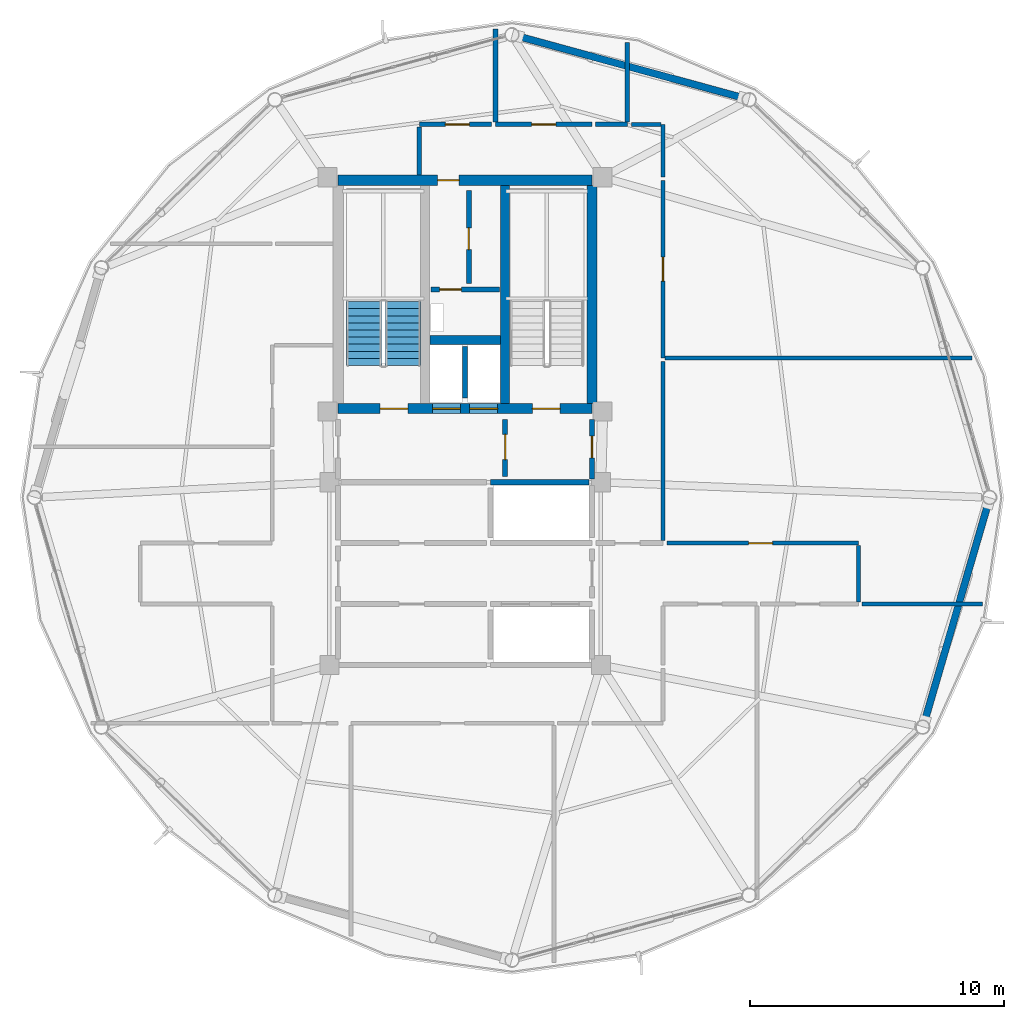
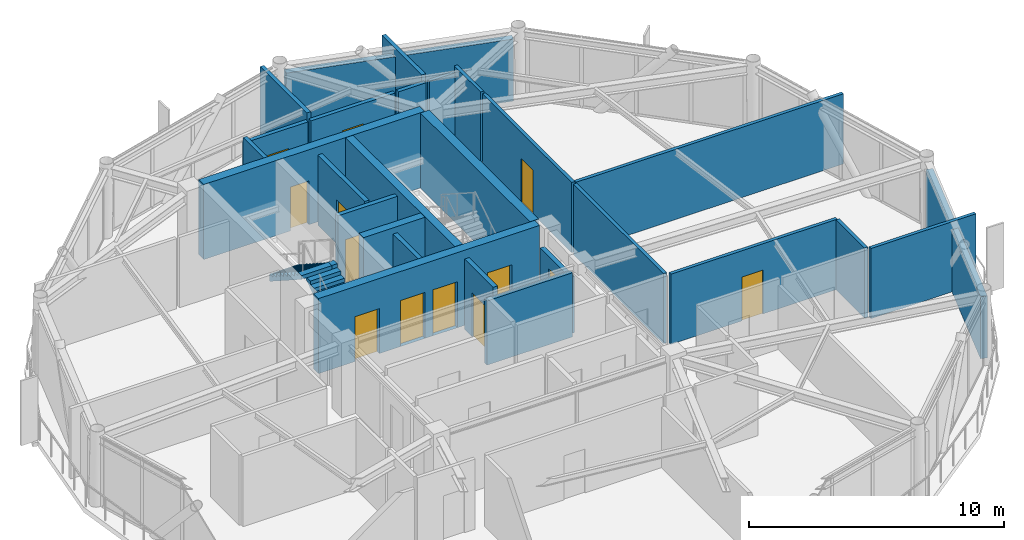
# One storey, part 23 of 27: 27 walls, 13 doors, 2 stair flights, 13 openings, 1 element without a shape of its own.
"""IFC4 building model written with IfcOpenShell, lengths in metres."""

from ifc_helpers import new_model, si_unit, direction, frame, frame_2d, origin, place, context, subcontext, project, spatial, polyline, rectangle, outline, extrude, material, layer, layer_set, type_object, element, fill, aggregate, save


model = new_model("IFC4")

# Units and contexts
model_context = context("Model", 3, precision=1e-05, world=origin(), true_north=direction((0.0, 1.0)))
body_context = subcontext(model_context, "Body", "Model", "MODEL_VIEW")
ifc_project = project(units=[si_unit("LENGTHUNIT", "METRE"), si_unit("AREAUNIT", "SQUARE_METRE"), si_unit("VOLUMEUNIT", "CUBIC_METRE"), si_unit("PLANEANGLEUNIT", "RADIAN"), si_unit("MASSUNIT", "GRAM", prefix="KILO")], contexts=[model_context])

# Site, building, storey
site_placement = place(None, origin())
site = spatial("IfcSite", under=ifc_project, at=site_placement, CompositionType="ELEMENT")
building_placement = place(site_placement, origin())
building = spatial("IfcBuilding", under=site, at=building_placement, Name="Varnakorn Sky Granary", CompositionType="ELEMENT")
storey_placement = place(building_placement, frame((0.0, 0.0, 229.199951171875)))
storey = spatial("IfcBuildingStorey", under=building, at=storey_placement, Name="L58", CompositionType="ELEMENT", Elevation=229.199951171875)

# Walls
ifc_material_1 = material(Name="Concrete C50/60", Category="concrete")
ifc_layer_1 = layer(ifc_material_1, 0.35009765625, Name="Concrete C50/60")
ifc_layer_set_1 = layer_set([ifc_layer_1], Name="Concrete C50/60")
wall_type_1 = type_object("IfcWallType", Name="WT-CW-INT-350", PredefinedType="SHEAR", material=ifc_layer_set_1)
wall_1_placement = place(storey_placement, frame((4.580078125, 3.7099609375, 0.0), z_axis=(0.0, 0.0, 1.0), x_axis=(0.0, 1.0, 0.0)))
element("IfcWall", 1, at=wall_1_placement, inside=storey, type_object=wall_type_1, Name="Stair ST-2 Core Wall L58", PredefinedType="SHEAR", context=body_context, shape_type="SweptSolid", body=[
    extrude(rectangle(XDim=8.580078125, YDim=0.35009765625, at=frame_2d((4.2900390625, 0.0))), origin(), (0.0, 0.0, 1.0), 3.592041015625),
])
wall_2_placement = place(storey_placement, frame((1.610107421875, 6.199951171875, 0.0), z_axis=(0.0, 0.0, 1.0), x_axis=(1.0, 0.0, 0.0)))
element("IfcWall", 2, at=wall_2_placement, inside=storey, type_object=wall_type_1, Name="Core Lift Shaft Cross Wall L58", PredefinedType="SHEAR", context=body_context, shape_type="SweptSolid", body=[
    extrude(rectangle(XDim=2.77978515625, YDim=0.35009765625, at=frame_2d((1.389892578125, 0.0))), origin(), (0.0, 0.0, 1.0), 3.592041015625),
])

# Wall, openings, doors
ifc_layer_2 = layer(ifc_material_1, 0.39990234375, Name="Concrete C50/60")
ifc_layer_set_2 = layer_set([ifc_layer_2], Name="Concrete C50/60")
wall_type_2 = type_object("IfcWallType", Name="WT-CW-SHEAR-400", PredefinedType="SHEAR", material=ifc_layer_set_2)
wall_3_placement = place(storey_placement, frame((-2.0, 3.5, 0.0), z_axis=(0.0, 0.0, 1.0), x_axis=(1.0, 0.0, 0.0)))
wall_3 = element("IfcWall", 3, at=wall_3_placement, inside=storey, type_object=wall_type_2, Name="Core South Shear Wall L58", PredefinedType="SHEAR", context=body_context, shape_type="SweptSolid", body=[
    extrude(rectangle(XDim=10.0, YDim=0.39990234375, at=frame_2d((5.0, 0.0))), origin(), (0.0, 0.0, 1.0), 3.592041015625),
])
opening_1_placement = place(wall_3_placement, frame((1.64990234375, 0.0, 0.0)))
opening_1 = element("IfcOpeningElement", 4, at=opening_1_placement, cuts=wall_3, Name="Opening FD-90", PredefinedType="OPENING", context=body_context, shape_type="SweptSolid", body=[
    extrude(rectangle(XDim=1.10009765625, YDim=2.14990234375, at=frame_2d((0.550048828125, 1.074951171875))), frame((0.0, 0.2099609375, 0.0), z_axis=(0.0, -1.0, 0.0), x_axis=(1.0, 0.0, 0.0)), (0.0, 0.0, 1.0), 0.419921875),
])
opening_2_placement = place(wall_3_placement, frame((7.64990234375, 0.0, 0.0)))
opening_2 = element("IfcOpeningElement", 5, at=opening_2_placement, cuts=wall_3, Name="Opening FD-90", PredefinedType="OPENING", context=body_context, shape_type="SweptSolid", body=[
    extrude(rectangle(XDim=1.10009765625, YDim=2.14990234375, at=frame_2d((0.550048828125, 1.074951171875))), frame((0.0, 0.2099609375, 0.0), z_axis=(0.0, -1.0, 0.0), x_axis=(1.0, 0.0, 0.0)), (0.0, 0.0, 1.0), 0.419921875),
])
opening_3_placement = place(wall_3_placement, frame((3.719970703125, 0.0, 0.0)))
opening_3 = element("IfcOpeningElement", 6, at=opening_3_placement, cuts=wall_3, Name="Opening LD-01", PredefinedType="OPENING", context=body_context, shape_type="SweptSolid", body=[
    extrude(rectangle(XDim=1.10009765625, YDim=2.199951171875, at=frame_2d((0.550048828125, 1.10009765625))), frame((0.0, 0.2099609375, 0.0), z_axis=(0.0, -1.0, 0.0), x_axis=(1.0, 0.0, 0.0)), (0.0, 0.0, 1.0), 0.419921875),
])
opening_4_placement = place(wall_3_placement, frame((5.179931640625, 0.0, 0.0)))
opening_4 = element("IfcOpeningElement", 7, at=opening_4_placement, cuts=wall_3, Name="Opening LD-01", PredefinedType="OPENING", context=body_context, shape_type="SweptSolid", body=[
    extrude(rectangle(XDim=1.10009765625, YDim=2.199951171875, at=frame_2d((0.550048828125, 1.10009765625))), frame((0.0, 0.2099609375, 0.0), z_axis=(0.0, -1.0, 0.0), x_axis=(1.0, 0.0, 0.0)), (0.0, 0.0, 1.0), 0.419921875),
])
ifc_material_2 = material(Name="Brushed Bronze Stainless Steel", Category="steel")
door_type_1 = type_object("IfcDoorType", Name="DR-LD-1100", OperationType="DOUBLE_DOOR_SLIDING", PredefinedType="DOOR", material=ifc_material_2)
door_1_placement = place(opening_3_placement, origin())
door_1 = element("IfcDoor", 8, at=door_1_placement, inside=storey, type_object=door_type_1, Name="Firefighting Lift FFL-1 Landing Door L58", OperationType="DOUBLE_DOOR_SLIDING", OverallHeight=2.199951171875, OverallWidth=1.10009765625, PredefinedType="DOOR", context=body_context, shape_type="SweptSolid", body=[
    extrude(rectangle(XDim=1.10009765625, YDim=2.199951171875, at=frame_2d((0.550048828125, 1.10009765625))), frame((0.0, 0.02490234375, 0.0), z_axis=(0.0, -1.0, 0.0), x_axis=(1.0, 0.0, 0.0)), (0.0, 0.0, 1.0), 0.050048828125),
])
fill(opening_3, door_1)
door_2_placement = place(opening_4_placement, origin())
door_2 = element("IfcDoor", 9, at=door_2_placement, inside=storey, type_object=door_type_1, Name="Firefighting Lift FFL-2 Landing Door L58", OperationType="DOUBLE_DOOR_SLIDING", OverallHeight=2.199951171875, OverallWidth=1.10009765625, PredefinedType="DOOR", context=body_context, shape_type="SweptSolid", body=[
    extrude(rectangle(XDim=1.10009765625, YDim=2.199951171875, at=frame_2d((0.550048828125, 1.10009765625))), frame((0.0, 0.02490234375, 0.0), z_axis=(0.0, -1.0, 0.0), x_axis=(1.0, 0.0, 0.0)), (0.0, 0.0, 1.0), 0.050048828125),
])
fill(opening_4, door_2)
ifc_material_3 = material(Name="Galvanised Painted Steel Leaf", Category="steel")
door_type_2 = type_object("IfcDoorType", Name="DR-STAIR-1100", OperationType="NOTDEFINED", PredefinedType="DOOR", material=ifc_material_3)
door_3_placement = place(opening_1_placement, origin())
door_3 = element("IfcDoor", 10, at=door_3_placement, inside=storey, type_object=door_type_2, Name="Stair ST-1 Protected Fire Door L58", OperationType="SINGLE_SWING_LEFT", OverallHeight=2.14990234375, OverallWidth=1.10009765625, PredefinedType="DOOR", context=body_context, shape_type="SweptSolid", body=[
    extrude(rectangle(XDim=1.10009765625, YDim=2.14990234375, at=frame_2d((0.550048828125, 1.074951171875))), frame((0.0, 0.02490234375, 0.0), z_axis=(0.0, -1.0, 0.0), x_axis=(1.0, 0.0, 0.0)), (0.0, 0.0, 1.0), 0.050048828125),
])
fill(opening_1, door_3)
door_4_placement = place(opening_2_placement, origin())
door_4 = element("IfcDoor", 11, at=door_4_placement, inside=storey, type_object=door_type_2, Name="Stair ST-2 Protected Fire Door L58", OperationType="SINGLE_SWING_RIGHT", OverallHeight=2.14990234375, OverallWidth=1.10009765625, PredefinedType="DOOR", context=body_context, shape_type="SweptSolid", body=[
    extrude(rectangle(XDim=1.10009765625, YDim=2.14990234375, at=frame_2d((0.550048828125, 1.074951171875))), frame((0.0, 0.02490234375, 0.0), z_axis=(0.0, -1.0, 0.0), x_axis=(1.0, 0.0, 0.0)), (0.0, 0.0, 1.0), 0.050048828125),
])
fill(opening_2, door_4)

# Wall, opening, door
wall_4_placement = place(storey_placement, frame((-2.0, 12.5, 0.0), z_axis=(0.0, 0.0, 1.0), x_axis=(1.0, 0.0, 0.0)))
wall_4 = element("IfcWall", 12, at=wall_4_placement, inside=storey, type_object=wall_type_2, Name="Core North Shear Wall L58", PredefinedType="SHEAR", context=body_context, shape_type="SweptSolid", body=[
    extrude(rectangle(XDim=10.0, YDim=0.39990234375, at=frame_2d((5.0, 0.0))), origin(), (0.0, 0.0, 1.0), 3.592041015625),
])
opening_5_placement = place(wall_4_placement, frame((3.919921875, 0.0, 0.0)))
opening_5 = element("IfcOpeningElement", 13, at=opening_5_placement, cuts=wall_4, Name="Opening FD-60N", PredefinedType="OPENING", context=body_context, shape_type="SweptSolid", body=[
    extrude(rectangle(XDim=0.85009765625, YDim=2.10009765625, at=frame_2d((0.425048828125, 1.050048828125))), frame((0.0, 0.2099609375, 0.0), z_axis=(0.0, -1.0, 0.0), x_axis=(1.0, 0.0, 0.0)), (0.0, 0.0, 1.0), 0.419921875),
])
ifc_material_4 = material(Name="Acoustic Timber Fire Leaf", Category="wood")
door_type_3 = type_object("IfcDoorType", Name="DR-FD60-850", OperationType="NOTDEFINED", PredefinedType="DOOR", material=ifc_material_4)
door_5_placement = place(opening_5_placement, origin())
door_5 = element("IfcDoor", 14, at=door_5_placement, inside=storey, type_object=door_type_3, Name="Core North Service Door L58", OperationType="SINGLE_SWING_RIGHT", OverallHeight=2.10009765625, OverallWidth=0.85009765625, PredefinedType="DOOR", context=body_context, shape_type="SweptSolid", body=[
    extrude(rectangle(XDim=0.85009765625, YDim=2.10009765625, at=frame_2d((0.425048828125, 1.050048828125))), frame((0.0, 0.02490234375, 0.0), z_axis=(0.0, -1.0, 0.0), x_axis=(1.0, 0.0, 0.0)), (0.0, 0.0, 1.0), 0.050048828125),
])
fill(opening_5, door_5)

# Walls
wall_5_placement = place(storey_placement, frame((8.0, 3.7099609375, 0.0), z_axis=(0.0, 0.0, 1.0), x_axis=(0.0, 1.0, 0.0)))
element("IfcWall", 15, at=wall_5_placement, inside=storey, type_object=wall_type_2, Name="Core East Shear Wall L58", PredefinedType="SHEAR", context=body_context, shape_type="SweptSolid", body=[
    extrude(rectangle(XDim=8.580078125, YDim=0.39990234375, at=frame_2d((4.2900390625, 0.0))), origin(), (0.0, 0.0, 1.0), 3.592041015625),
])
ifc_material_5 = material(Name="Precast concrete C40/50", Category="concrete")
ifc_layer_3 = layer(ifc_material_5, 0.280029296875, Name="Precast concrete C40/50")
ifc_layer_set_3 = layer_set([ifc_layer_3], Name="Precast concrete C40/50")
wall_type_3 = type_object("IfcWallType", Name="WT-EW-CRN-280", PredefinedType="SOLIDWALL", material=ifc_layer_set_3)
wall_6_placement = place(storey_placement, frame((5.076171875, 18.18017578125, 0.0), z_axis=(0.0, 0.0, 1.0), x_axis=(0.96446761762, -0.264201087361, 0.0)))
element("IfcWall", 16, at=wall_6_placement, inside=storey, type_object=wall_type_3, Name="Agritech Insulated Precast Facade Wall L58-P03", PredefinedType="SOLIDWALL", context=body_context, shape_type="SweptSolid", body=[
    extrude(rectangle(XDim=9.22509765625, YDim=0.280029296875, at=frame_2d((4.612548828125, 0.0))), origin(), (0.0, 0.0, 1.0), 2.969970703125),
])
wall_7_placement = place(storey_placement, frame((23.618408203125, -0.22509765625, 0.0), z_axis=(0.0, 0.0, 1.0), x_axis=(-0.279948739232, -0.960014949572, 0.0)))
element("IfcWall", 17, at=wall_7_placement, inside=storey, type_object=wall_type_3, Name="Agritech Insulated Precast Facade Wall L58-P12", PredefinedType="SOLIDWALL", context=body_context, shape_type="SweptSolid", body=[
    extrude(rectangle(XDim=8.961669921875, YDim=0.280029296875, at=frame_2d((4.48095703125, 0.0))), origin(), (0.0, 0.0, 1.0), 2.969970703125),
])

# Wall, opening, door
ifc_material_6 = material(Name="Autoclaved Aerated Concrete Blockwork", Category="masonry")
ifc_layer_4 = layer(ifc_material_6, 0.199951171875, Name="Autoclaved Aerated Concrete Blockwork")
ifc_layer_set_4 = layer_set([ifc_layer_4], Name="Autoclaved Aerated Concrete Blockwork")
wall_type_4 = type_object("IfcWallType", Name="WT-FIRE-200", PredefinedType="MOVABLE", material=ifc_layer_set_4)
wall_8_placement = place(storey_placement, frame((1.64990234375, 8.199951171875, 0.0), z_axis=(0.0, 0.0, 1.0), x_axis=(1.0, 0.0, 0.0)))
wall_8 = element("IfcWall", 18, at=wall_8_placement, inside=storey, type_object=wall_type_4, Name="Interior Partition Wall L58-010", PredefinedType="MOVABLE", context=body_context, shape_type="SweptSolid", body=[
    extrude(rectangle(XDim=2.7001953125, YDim=0.199951171875, at=frame_2d((1.35009765625, 0.0))), origin(), (0.0, 0.0, 1.0), 3.360107421875),
])
opening_6_placement = place(wall_8_placement, frame((0.35009765625, 0.0, 0.0)))
opening_6 = element("IfcOpeningElement", 19, at=opening_6_placement, cuts=wall_8, Name="Opening FD-60N", PredefinedType="OPENING", context=body_context, shape_type="SweptSolid", body=[
    extrude(rectangle(XDim=0.85009765625, YDim=2.10009765625, at=frame_2d((0.425048828125, 1.050048828125))), frame((0.0, 0.10986328125, 0.0), z_axis=(0.0, -1.0, 0.0), x_axis=(1.0, 0.0, 0.0)), (0.0, 0.0, 1.0), 0.219970703125),
])
door_6_placement = place(opening_6_placement, origin())
door_6 = element("IfcDoor", 20, at=door_6_placement, inside=storey, type_object=door_type_3, Name="Interior Door L58-010-1", OperationType="SINGLE_SWING_LEFT", OverallHeight=2.10009765625, OverallWidth=0.85009765625, PredefinedType="DOOR", context=body_context, shape_type="SweptSolid", body=[
    extrude(rectangle(XDim=0.85009765625, YDim=2.10009765625, at=frame_2d((0.425048828125, 1.050048828125))), frame((0.0, 0.02490234375, 0.0), z_axis=(0.0, -1.0, 0.0), x_axis=(1.0, 0.0, 0.0)), (0.0, 0.0, 1.0), 0.050048828125),
])
fill(opening_6, door_6)

wall_9_placement = place(storey_placement, frame((3.14990234375, 8.429931640625, 0.0), z_axis=(0.0, 0.0, 1.0), x_axis=(0.0, 1.0, 0.0)))
wall_9 = element("IfcWall", 21, at=wall_9_placement, inside=storey, type_object=wall_type_4, Name="Interior Partition Wall L58-011", PredefinedType="MOVABLE", context=body_context, shape_type="SweptSolid", body=[
    extrude(rectangle(XDim=3.670166015625, YDim=0.199951171875, at=frame_2d((1.8349609375, 0.0))), origin(), (0.0, 0.0, 1.0), 3.360107421875),
])
opening_7_placement = place(wall_9_placement, frame((1.340087890625, 0.0, 0.0)))
opening_7 = element("IfcOpeningElement", 22, at=opening_7_placement, cuts=wall_9, Name="Opening FD-60N", PredefinedType="OPENING", context=body_context, shape_type="SweptSolid", body=[
    extrude(rectangle(XDim=0.85009765625, YDim=2.10009765625, at=frame_2d((0.425048828125, 1.050048828125))), frame((0.0, 0.10986328125, 0.0), z_axis=(0.0, -1.0, 0.0), x_axis=(1.0, 0.0, 0.0)), (0.0, 0.0, 1.0), 0.219970703125),
])
door_7_placement = place(opening_7_placement, origin())
door_7 = element("IfcDoor", 23, at=door_7_placement, inside=storey, type_object=door_type_3, Name="Interior Door L58-011-1", OperationType="SINGLE_SWING_RIGHT", OverallHeight=2.10009765625, OverallWidth=0.85009765625, PredefinedType="DOOR", context=body_context, shape_type="SweptSolid", body=[
    extrude(rectangle(XDim=0.85009765625, YDim=2.10009765625, at=frame_2d((0.425048828125, 1.050048828125))), frame((0.0, 0.02490234375, 0.0), z_axis=(0.0, -1.0, 0.0), x_axis=(1.0, 0.0, 0.0)), (0.0, 0.0, 1.0), 0.050048828125),
])
fill(opening_7, door_7)

wall_10_placement = place(storey_placement, frame((4.580078125, 0.830078125, 0.0), z_axis=(0.0, 0.0, 1.0), x_axis=(0.0, 1.0, 0.0)))
wall_10 = element("IfcWall", 24, at=wall_10_placement, inside=storey, type_object=wall_type_4, Name="Interior Partition Wall L58-012", PredefinedType="MOVABLE", context=body_context, shape_type="SweptSolid", body=[
    extrude(rectangle(XDim=2.239990234375, YDim=0.199951171875, at=frame_2d((1.1201171875, 0.0))), origin(), (0.0, 0.0, 1.0), 3.360107421875),
])
opening_8_placement = place(wall_10_placement, frame((0.659912109375, 0.0, 0.0)))
opening_8 = element("IfcOpeningElement", 25, at=opening_8_placement, cuts=wall_10, Name="Opening FD-60", PredefinedType="OPENING", context=body_context, shape_type="SweptSolid", body=[
    extrude(rectangle(XDim=1.0, YDim=2.10009765625, at=frame_2d((0.5, 1.050048828125))), frame((0.0, 0.10986328125, 0.0), z_axis=(0.0, -1.0, 0.0), x_axis=(1.0, 0.0, 0.0)), (0.0, 0.0, 1.0), 0.219970703125),
])
door_type_4 = type_object("IfcDoorType", Name="DR-FD60-1000", OperationType="NOTDEFINED", PredefinedType="DOOR", material=ifc_material_4)
door_8_placement = place(opening_8_placement, origin())
door_8 = element("IfcDoor", 26, at=door_8_placement, inside=storey, type_object=door_type_4, Name="Interior Door L58-012-1", OperationType="SINGLE_SWING_LEFT", OverallHeight=2.10009765625, OverallWidth=1.0, PredefinedType="DOOR", context=body_context, shape_type="SweptSolid", body=[
    extrude(rectangle(XDim=1.0, YDim=2.10009765625, at=frame_2d((0.5, 1.050048828125))), frame((0.0, 0.02490234375, 0.0), z_axis=(0.0, -1.0, 0.0), x_axis=(1.0, 0.0, 0.0)), (0.0, 0.0, 1.0), 0.050048828125),
])
fill(opening_8, door_8)

wall_11_placement = place(storey_placement, frame((8.0, 0.719970703125, 0.0), z_axis=(0.0, 0.0, 1.0), x_axis=(0.0, 1.0, 0.0)))
wall_11 = element("IfcWall", 27, at=wall_11_placement, inside=storey, type_object=wall_type_4, Name="Interior Partition Wall L58-014", PredefinedType="MOVABLE", context=body_context, shape_type="SweptSolid", body=[
    extrude(rectangle(XDim=2.35009765625, YDim=0.199951171875, at=frame_2d((1.175048828125, 0.0))), origin(), (0.0, 0.0, 1.0), 2.692138671875),
])
opening_9_placement = place(wall_11_placement, frame((0.844970703125, 0.0, 0.0)))
opening_9 = element("IfcOpeningElement", 28, at=opening_9_placement, cuts=wall_11, Name="Opening FD-60N", PredefinedType="OPENING", context=body_context, shape_type="SweptSolid", body=[
    extrude(rectangle(XDim=0.85009765625, YDim=2.10009765625, at=frame_2d((0.425048828125, 1.050048828125))), frame((0.0, 0.10986328125, 0.0), z_axis=(0.0, -1.0, 0.0), x_axis=(1.0, 0.0, 0.0)), (0.0, 0.0, 1.0), 0.219970703125),
])
door_9_placement = place(opening_9_placement, origin())
door_9 = element("IfcDoor", 29, at=door_9_placement, inside=storey, type_object=door_type_3, Name="Interior Door L58-014-1", OperationType="SINGLE_SWING_LEFT", OverallHeight=2.10009765625, OverallWidth=0.85009765625, PredefinedType="DOOR", context=body_context, shape_type="SweptSolid", body=[
    extrude(rectangle(XDim=0.85009765625, YDim=2.10009765625, at=frame_2d((0.425048828125, 1.050048828125))), frame((0.0, 0.02490234375, 0.0), z_axis=(0.0, -1.0, 0.0), x_axis=(1.0, 0.0, 0.0)), (0.0, 0.0, 1.0), 0.050048828125),
])
fill(opening_9, door_9)

ifc_material_7 = material(Name="Gypsum Plasterboard on Steel Stud", Category="steel")
ifc_layer_5 = layer(ifc_material_7, 0.14990234375, Name="Gypsum Plasterboard on Steel Stud")
ifc_layer_set_5 = layer_set([ifc_layer_5], Name="Gypsum Plasterboard on Steel Stud")
wall_type_5 = type_object("IfcWallType", Name="WT-PART-150", PredefinedType="PARTITIONING", material=ifc_layer_set_5)
wall_12_placement = place(storey_placement, frame((18.5, -1.800048828125, 0.0), z_axis=(0.0, 0.0, 1.0), x_axis=(-1.0, 0.0, 0.0)))
wall_12 = element("IfcWall", 30, at=wall_12_placement, inside=storey, type_object=wall_type_5, Name="Interior Partition Wall L58-028", PredefinedType="PARTITIONING", context=body_context, shape_type="SweptSolid", body=[
    extrude(rectangle(XDim=7.5400390625, YDim=0.14990234375, at=frame_2d((3.77001953125, 0.0))), origin(), (0.0, 0.0, 1.0), 3.360107421875),
])
opening_10_placement = place(wall_12_placement, frame((3.375, 0.0, 0.0)))
opening_10 = element("IfcOpeningElement", 31, at=opening_10_placement, cuts=wall_12, Name="Opening ID-95", PredefinedType="OPENING", context=body_context, shape_type="SweptSolid", body=[
    extrude(rectangle(XDim=0.949951171875, YDim=2.10009765625, at=frame_2d((0.47509765625, 1.050048828125))), frame((0.0, 0.0849609375, 0.0), z_axis=(0.0, -1.0, 0.0), x_axis=(1.0, 0.0, 0.0)), (0.0, 0.0, 1.0), 0.169921875),
])
ifc_material_8 = material(Name="Solid-Core Teak Veneer Leaf", Category="timber")
door_type_5 = type_object("IfcDoorType", Name="DR-INT-950", OperationType="NOTDEFINED", PredefinedType="DOOR", material=ifc_material_8)
door_10_placement = place(opening_10_placement, origin())
door_10 = element("IfcDoor", 32, at=door_10_placement, inside=storey, type_object=door_type_5, Name="Interior Door L58-028-1", OperationType="SINGLE_SWING_LEFT", OverallHeight=2.10009765625, OverallWidth=0.949951171875, PredefinedType="DOOR", context=body_context, shape_type="SweptSolid", body=[
    extrude(rectangle(XDim=0.949951171875, YDim=2.10009765625, at=frame_2d((0.47509765625, 1.050048828125))), frame((0.0, 0.02490234375, 0.0), z_axis=(0.0, -1.0, 0.0), x_axis=(1.0, 0.0, 0.0)), (0.0, 0.0, 1.0), 0.050048828125),
])
fill(opening_10, door_10)

wall_13_placement = place(storey_placement, frame((10.800048828125, 5.5, 0.0), z_axis=(0.0, 0.0, 1.0), x_axis=(0.0, 1.0, 0.0)))
wall_13 = element("IfcWall", 33, at=wall_13_placement, inside=storey, type_object=wall_type_5, Name="Interior Partition Wall L58-029", PredefinedType="PARTITIONING", context=body_context, shape_type="SweptSolid", body=[
    extrude(rectangle(XDim=7.0, YDim=0.14990234375, at=frame_2d((3.5, 0.0))), origin(), (0.0, 0.0, 1.0), 3.360107421875),
])
opening_11_placement = place(wall_13_placement, frame((3.02490234375, 0.0, 0.0)))
opening_11 = element("IfcOpeningElement", 34, at=opening_11_placement, cuts=wall_13, Name="Opening ID-95", PredefinedType="OPENING", context=body_context, shape_type="SweptSolid", body=[
    extrude(rectangle(XDim=0.949951171875, YDim=2.10009765625, at=frame_2d((0.47509765625, 1.050048828125))), frame((0.0, 0.0849609375, 0.0), z_axis=(0.0, -1.0, 0.0), x_axis=(1.0, 0.0, 0.0)), (0.0, 0.0, 1.0), 0.169921875),
])
door_11_placement = place(opening_11_placement, origin())
door_11 = element("IfcDoor", 35, at=door_11_placement, inside=storey, type_object=door_type_5, Name="Interior Door L58-029-1", OperationType="SINGLE_SWING_RIGHT", OverallHeight=2.10009765625, OverallWidth=0.949951171875, PredefinedType="DOOR", context=body_context, shape_type="SweptSolid", body=[
    extrude(rectangle(XDim=0.949951171875, YDim=2.10009765625, at=frame_2d((0.47509765625, 1.050048828125))), frame((0.0, 0.02490234375, 0.0), z_axis=(0.0, -1.0, 0.0), x_axis=(1.0, 0.0, 0.0)), (0.0, 0.0, 1.0), 0.050048828125),
])
fill(opening_11, door_11)

# Walls
wall_14_placement = place(storey_placement, frame((18.635009765625, -4.199951171875, 0.0), z_axis=(0.0, 0.0, 1.0), x_axis=(1.0, 0.0, 0.0)))
element("IfcWall", 36, at=wall_14_placement, inside=storey, type_object=wall_type_5, Name="Interior Partition Wall L58-043", PredefinedType="PARTITIONING", context=body_context, shape_type="SweptSolid", body=[
    extrude(rectangle(XDim=4.7490234375, YDim=0.14990234375, at=frame_2d((2.37451171875, 0.0))), origin(), (0.0, 0.0, 1.0), 3.360107421875),
])
wall_15_placement = place(storey_placement, frame((18.5, -4.114990234375, 0.0), z_axis=(0.0, 0.0, 1.0), x_axis=(0.0, 1.0, 0.0)))
element("IfcWall", 37, at=wall_15_placement, inside=storey, type_object=wall_type_5, Name="Interior Partition Wall L58-055", PredefinedType="PARTITIONING", context=body_context, shape_type="SweptSolid", body=[
    extrude(rectangle(XDim=2.22998046875, YDim=0.14990234375, at=frame_2d((1.114990234375, 0.0))), origin(), (0.0, 0.0, 1.0), 3.360107421875),
])
wall_16_placement = place(storey_placement, frame((10.800048828125, -1.68994140625, 0.0), z_axis=(0.0, 0.0, 1.0), x_axis=(0.0, 1.0, 0.0)))
element("IfcWall", 38, at=wall_16_placement, inside=storey, type_object=wall_type_5, Name="Interior Partition Wall L58-056", PredefinedType="PARTITIONING", context=body_context, shape_type="SweptSolid", body=[
    extrude(rectangle(XDim=7.054931640625, YDim=0.14990234375, at=frame_2d((3.52734375, 0.0))), origin(), (0.0, 0.0, 1.0), 3.360107421875),
])
wall_17_placement = place(storey_placement, frame((10.885009765625, 5.5, 0.0), z_axis=(0.0, 0.0, 1.0), x_axis=(1.0, 0.0, 0.0)))
element("IfcWall", 39, at=wall_17_placement, inside=storey, type_object=wall_type_5, Name="Interior Partition Wall L58-057", PredefinedType="PARTITIONING", context=body_context, shape_type="SweptSolid", body=[
    extrude(rectangle(XDim=12.093994140625, YDim=0.14990234375, at=frame_2d((6.046875, 0.0))), origin(), (0.0, 0.0, 1.0), 3.360107421875),
])
wall_18_placement = place(storey_placement, frame((10.800048828125, 12.635009765625, 0.0), z_axis=(0.0, 0.0, 1.0), x_axis=(0.0, 1.0, 0.0)))
element("IfcWall", 40, at=wall_18_placement, inside=storey, type_object=wall_type_5, Name="Interior Partition Wall L58-058", PredefinedType="PARTITIONING", context=body_context, shape_type="SweptSolid", body=[
    extrude(rectangle(XDim=2.06494140625, YDim=0.14990234375, at=frame_2d((1.032470703125, 0.0))), origin(), (0.0, 0.0, 1.0), 3.360107421875),
])
wall_19_placement = place(storey_placement, frame((10.715087890625, 14.699951171875, 0.0), z_axis=(0.0, 0.0, 1.0), x_axis=(-1.0, 0.0, 0.0)))
element("IfcWall", 41, at=wall_19_placement, inside=storey, type_object=wall_type_5, Name="Interior Partition Wall L58-059", PredefinedType="PARTITIONING", context=body_context, shape_type="SweptSolid", body=[
    extrude(rectangle(XDim=1.1650390625, YDim=0.14990234375, at=frame_2d((0.58251953125, 0.0))), origin(), (0.0, 0.0, 1.0), 3.072021484375),
])

# Wall, opening, door
ifc_material_9 = material(Name="Moisture-Resistant Gypsum on Stud", Category="gypsum")
ifc_layer_6 = layer(ifc_material_9, 0.179931640625, Name="Moisture-Resistant Gypsum on Stud")
ifc_layer_set_6 = layer_set([ifc_layer_6], Name="Moisture-Resistant Gypsum on Stud")
wall_type_6 = type_object("IfcWallType", Name="WT-PLUMB-180", PredefinedType="PLUMBINGWALL", material=ifc_layer_set_6)
wall_20_placement = place(storey_placement, frame((8.0, 14.699951171875, 0.0), z_axis=(0.0, 0.0, 1.0), x_axis=(-1.0, 0.0, 0.0)))
wall_20 = element("IfcWall", 42, at=wall_20_placement, inside=storey, type_object=wall_type_6, Name="Interior Partition Wall L58-020", PredefinedType="PLUMBINGWALL", context=body_context, shape_type="SweptSolid", body=[
    extrude(rectangle(XDim=3.800048828125, YDim=0.179931640625, at=frame_2d((1.89990234375, 0.0))), origin(), (0.0, 0.0, 1.0), 3.072021484375),
])
opening_12_placement = place(wall_20_placement, frame((1.425048828125, 0.0, 0.0)))
opening_12 = element("IfcOpeningElement", 43, at=opening_12_placement, cuts=wall_20, Name="Opening ID-95", PredefinedType="OPENING", context=body_context, shape_type="SweptSolid", body=[
    extrude(rectangle(XDim=0.949951171875, YDim=2.10009765625, at=frame_2d((0.47509765625, 1.050048828125))), frame((0.0, 0.10009765625, 0.0), z_axis=(0.0, -1.0, 0.0), x_axis=(1.0, 0.0, 0.0)), (0.0, 0.0, 1.0), 0.199951171875),
])
door_12_placement = place(opening_12_placement, origin())
door_12 = element("IfcDoor", 44, at=door_12_placement, inside=storey, type_object=door_type_5, Name="Interior Door L58-020-1", OperationType="SINGLE_SWING_LEFT", OverallHeight=2.10009765625, OverallWidth=0.949951171875, PredefinedType="DOOR", context=body_context, shape_type="SweptSolid", body=[
    extrude(rectangle(XDim=0.949951171875, YDim=2.10009765625, at=frame_2d((0.47509765625, 1.050048828125))), frame((0.0, 0.02490234375, 0.0), z_axis=(0.0, -1.0, 0.0), x_axis=(1.0, 0.0, 0.0)), (0.0, 0.0, 1.0), 0.050048828125),
])
fill(opening_12, door_12)

wall_21_placement = place(storey_placement, frame((4.050048828125, 14.699951171875, 0.0), z_axis=(0.0, 0.0, 1.0), x_axis=(-1.0, 0.0, 0.0)))
wall_21 = element("IfcWall", 45, at=wall_21_placement, inside=storey, type_object=wall_type_6, Name="Interior Partition Wall L58-027", PredefinedType="PLUMBINGWALL", context=body_context, shape_type="SweptSolid", body=[
    extrude(rectangle(XDim=2.85009765625, YDim=0.179931640625, at=frame_2d((1.425048828125, 0.0))), origin(), (0.0, 0.0, 1.0), 3.072021484375),
])
opening_13_placement = place(wall_21_placement, frame((0.875, 0.0, 0.0)))
opening_13 = element("IfcOpeningElement", 46, at=opening_13_placement, cuts=wall_21, Name="Opening ID-95", PredefinedType="OPENING", context=body_context, shape_type="SweptSolid", body=[
    extrude(rectangle(XDim=0.949951171875, YDim=2.10009765625, at=frame_2d((0.47509765625, 1.050048828125))), frame((0.0, 0.10009765625, 0.0), z_axis=(0.0, -1.0, 0.0), x_axis=(1.0, 0.0, 0.0)), (0.0, 0.0, 1.0), 0.199951171875),
])
door_13_placement = place(opening_13_placement, origin())
door_13 = element("IfcDoor", 47, at=door_13_placement, inside=storey, type_object=door_type_5, Name="Interior Door L58-027-1", OperationType="SINGLE_SWING_RIGHT", OverallHeight=2.10009765625, OverallWidth=0.949951171875, PredefinedType="DOOR", context=body_context, shape_type="SweptSolid", body=[
    extrude(rectangle(XDim=0.949951171875, YDim=2.10009765625, at=frame_2d((0.47509765625, 1.050048828125))), frame((0.0, 0.02490234375, 0.0), z_axis=(0.0, -1.0, 0.0), x_axis=(1.0, 0.0, 0.0)), (0.0, 0.0, 1.0), 0.050048828125),
])
fill(opening_13, door_13)

# Walls
wall_22_placement = place(storey_placement, frame((9.39990234375, 14.699951171875, 0.0), z_axis=(0.0, 0.0, 1.0), x_axis=(-1.0, 0.0, 0.0)))
element("IfcWall", 48, at=wall_22_placement, inside=storey, type_object=wall_type_6, Name="Interior Partition Wall L58-034", PredefinedType="PLUMBINGWALL", context=body_context, shape_type="SweptSolid", body=[
    extrude(rectangle(XDim=1.25, YDim=0.179931640625, at=frame_2d((0.625, 0.0))), origin(), (0.0, 0.0, 1.0), 3.072021484375),
])
wall_23_placement = place(storey_placement, frame((1.199951171875, 14.60009765625, 0.0), z_axis=(0.0, 0.0, 1.0), x_axis=(0.0, -1.0, 0.0)))
element("IfcWall", 49, at=wall_23_placement, inside=storey, type_object=wall_type_6, Name="Interior Partition Wall L58-053", PredefinedType="PLUMBINGWALL", context=body_context, shape_type="SweptSolid", body=[
    extrude(rectangle(XDim=1.89013671875, YDim=0.179931640625, at=frame_2d((0.945068359375, 0.0))), origin(), (0.0, 0.0, 1.0), 3.360107421875),
])
wall_24_placement = place(storey_placement, frame((4.199951171875, 18.462890625, 0.0), z_axis=(0.0, 0.0, 1.0), x_axis=(0.0, -1.0, 0.0)))
element("IfcWall", 50, at=wall_24_placement, inside=storey, type_object=wall_type_6, Name="Interior Partition Wall L58-054", PredefinedType="PLUMBINGWALL", context=body_context, shape_type="SweptSolid", body=[
    extrude(rectangle(XDim=3.662841796875, YDim=0.179931640625, at=frame_2d((1.83154296875, 0.0))), origin(), (0.0, 0.0, 1.0), 3.360107421875),
])
wall_25_placement = place(storey_placement, frame((9.39990234375, 14.800048828125, 0.0), z_axis=(0.0, 0.0, 1.0), x_axis=(0.0, 1.0, 0.0)))
element("IfcWall", 51, at=wall_25_placement, inside=storey, type_object=wall_type_6, Name="Interior Partition Wall L58-060", PredefinedType="PLUMBINGWALL", context=body_context, shape_type="SweptSolid", body=[
    extrude(rectangle(XDim=3.1298828125, YDim=0.179931640625, at=frame_2d((1.56494140625, 0.0))), origin(), (0.0, 0.0, 1.0), 3.360107421875),
])
ifc_layer_7 = layer(ifc_material_6, 0.199951171875, Name="Autoclaved Aerated Concrete Blockwork")
ifc_layer_set_7 = layer_set([ifc_layer_7], Name="Autoclaved Aerated Concrete Blockwork")
wall_type_7 = type_object("IfcWallType", Name="WT-SHAFT-200", PredefinedType="SOLIDWALL", material=ifc_layer_set_7)
wall_26_placement = place(storey_placement, frame((3.0, 3.919921875, 0.0), z_axis=(0.0, 0.0, 1.0), x_axis=(0.0, 1.0, 0.0)))
element("IfcWall", 52, at=wall_26_placement, inside=storey, type_object=wall_type_7, Name="Interior Partition Wall L58-001", PredefinedType="SOLIDWALL", context=body_context, shape_type="SweptSolid", body=[
    extrude(rectangle(XDim=2.030029296875, YDim=0.199951171875, at=frame_2d((1.01513671875, 0.0))), origin(), (0.0, 0.0, 1.0), 3.360107421875),
])
wall_27_placement = place(storey_placement, frame((4.0, 0.60009765625, 0.0), z_axis=(0.0, 0.0, 1.0), x_axis=(1.0, 0.0, 0.0)))
element("IfcWall", 53, at=wall_27_placement, inside=storey, type_object=wall_type_7, Name="Interior Partition Wall L58-002", PredefinedType="SOLIDWALL", context=body_context, shape_type="SweptSolid", body=[
    extrude(rectangle(XDim=3.8798828125, YDim=0.199951171875, at=frame_2d((1.93994140625, 0.0))), origin(), (0.0, 0.0, 1.0), 3.072021484375),
])

# Stair, stair flights
ifc_material_10 = material(Name="Concrete C40/50", Category="concrete")
stair_type = type_object("IfcStairType", Name="ST-MAIN-ASSEMBLY", PredefinedType="HALF_TURN_STAIR", material=ifc_material_10)
stair_placement = place(storey_placement, origin())
stair = element("IfcStair", 54, at=stair_placement, inside=storey, type_object=stair_type, Name="L58 Protected Exit Stair ST-1", PredefinedType="HALF_TURN_STAIR")
stair_flight_type = type_object("IfcStairFlightType", Name="ST-MAIN-FLIGHT", PredefinedType="STRAIGHT", material=ifc_material_10)
stair_flight_1_placement = place(storey_placement, frame((0.550048828125, 5.199951171875, 0.0), z_axis=(0.0, 0.0, 1.0), x_axis=(0.0, 1.0, 0.0)))
stair_flight_1 = element("IfcStairFlight", 55, at=stair_flight_1_placement, type_object=stair_flight_type, Name="ST-1 flight 1", NumberOfRisers=10, NumberOfTreads=9, PredefinedType="STRAIGHT", RiserHeight=0.18, TreadLength=0.28, context=body_context, shape_type="SweptSolid", body=[
    extrude(outline(polyline([(0.0, -0.14990234375), (0.0, 0.0), (0.0, 0.179931640625), (0.280029296875, 0.179931640625), (0.280029296875, 0.360107421875), (0.56005859375, 0.360107421875), (0.56005859375, 0.5400390625), (0.840087890625, 0.5400390625), (0.840087890625, 0.719970703125), (1.1201171875, 0.719970703125), (1.1201171875, 0.89990234375), (1.39990234375, 0.89990234375), (1.39990234375, 1.080078125), (1.679931640625, 1.080078125), (1.679931640625, 1.260009765625), (1.9599609375, 1.260009765625), (1.9599609375, 1.43994140625), (2.239990234375, 1.43994140625), (2.239990234375, 1.6201171875), (2.52001953125, 1.6201171875), (2.52001953125, 1.800048828125), (2.52001953125, 1.44189453125), (0.050048828125, -0.14990234375), (0.0, -0.14990234375)])), frame((0.0, 0.68994140625, 0.0), z_axis=(0.0, -1.0, 0.0), x_axis=(1.0, 0.0, 0.0)), (0.0, 0.0, 1.0), 1.3798828125),
])
stair_flight_2_placement = place(storey_placement, frame((-0.97998046875, 7.719970703125, 1.800048828125), z_axis=(0.0, 0.0, 1.0), x_axis=(0.0, -1.0, 0.0)))
stair_flight_2 = element("IfcStairFlight", 56, at=stair_flight_2_placement, type_object=stair_flight_type, Name="ST-1 flight 2", NumberOfRisers=10, NumberOfTreads=9, PredefinedType="STRAIGHT", RiserHeight=0.18, TreadLength=0.28, context=body_context, shape_type="SweptSolid", body=[
    extrude(outline(polyline([(0.0, -0.14990234375), (0.0, 0.0), (0.0, 0.179931640625), (0.280029296875, 0.179931640625), (0.280029296875, 0.360107421875), (0.56005859375, 0.360107421875), (0.56005859375, 0.5400390625), (0.840087890625, 0.5400390625), (0.840087890625, 0.719970703125), (1.1201171875, 0.719970703125), (1.1201171875, 0.89990234375), (1.39990234375, 0.89990234375), (1.39990234375, 1.080078125), (1.679931640625, 1.080078125), (1.679931640625, 1.260009765625), (1.9599609375, 1.260009765625), (1.9599609375, 1.43994140625), (2.239990234375, 1.43994140625), (2.239990234375, 1.6201171875), (2.52001953125, 1.6201171875), (2.52001953125, 1.800048828125), (2.52001953125, 1.44189453125), (0.050048828125, -0.14990234375), (0.0, -0.14990234375)])), frame((0.0, 0.68994140625, 0.0), z_axis=(0.0, -1.0, 0.0), x_axis=(1.0, 0.0, 0.0)), (0.0, 0.0, 1.0), 1.3798828125),
])
aggregate(stair, [stair_flight_1, stair_flight_2])

save(model, "model.ifc")
